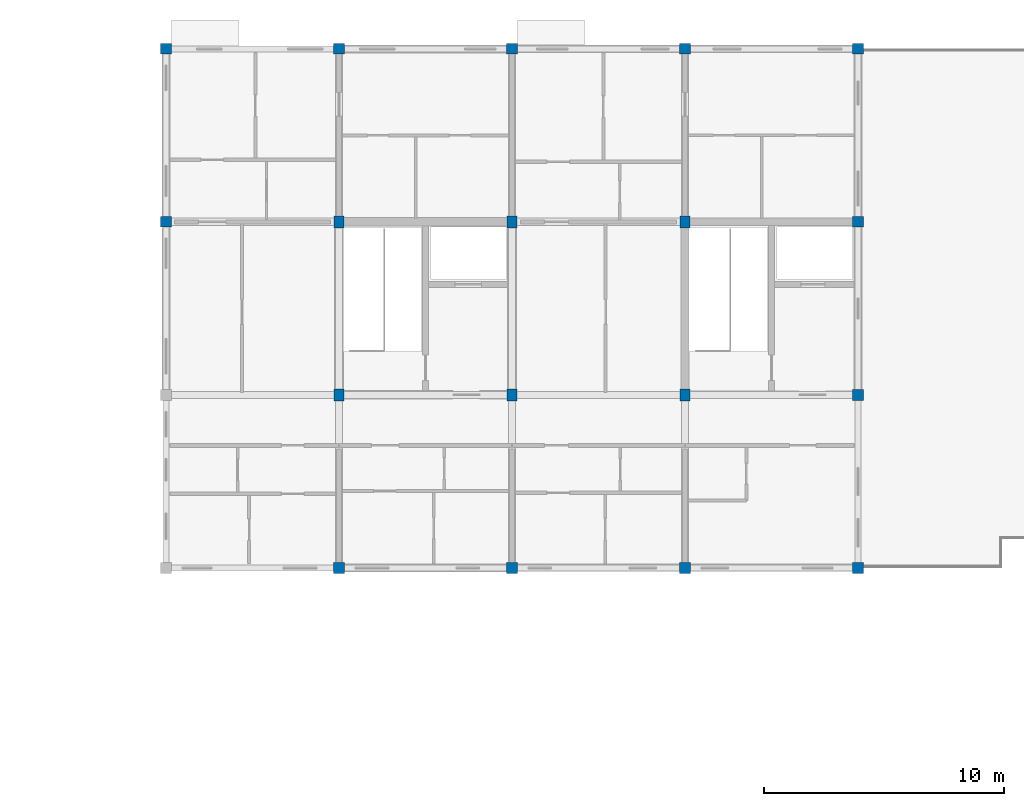
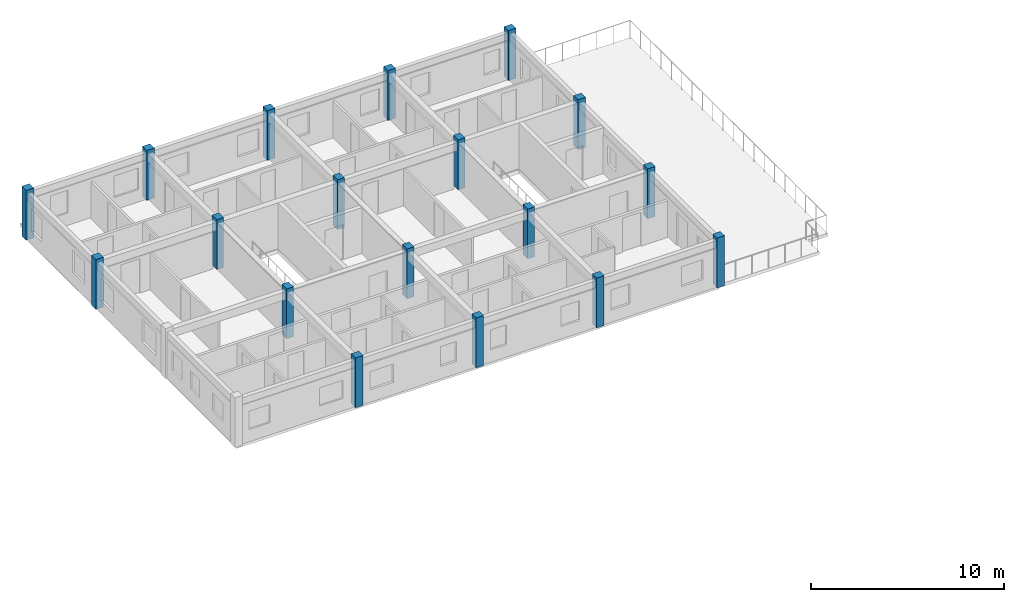
# One storey, part 2 of 23: 18 columns.
"""IFC4 building model written with IfcOpenShell, lengths in metres."""

from ifc_helpers import new_model, si_unit, direction, frame, origin, origin_2d, place, context, subcontext, project, spatial, rectangle, extrude, material, material_profile, profile_set, type_object, element, save


model = new_model("IFC4")

# Units and contexts
model_context = context("Model", 3, precision=1e-05, world=origin(), true_north=direction((0.0, 1.0)))
body_context = subcontext(model_context, "Body", "Model", "MODEL_VIEW")
ifc_project = project(units=[si_unit("LENGTHUNIT", "METRE"), si_unit("AREAUNIT", "SQUARE_METRE"), si_unit("VOLUMEUNIT", "CUBIC_METRE"), si_unit("PLANEANGLEUNIT", "RADIAN"), si_unit("MASSUNIT", "GRAM", prefix="KILO"), si_unit("THERMODYNAMICTEMPERATUREUNIT", "KELVIN"), si_unit("POWERUNIT", "WATT")], contexts=[model_context])

# Site, building, storey
site_placement = place(None, origin())
site = spatial("IfcSite", under=ifc_project, at=site_placement, CompositionType="ELEMENT")
building_placement = place(site_placement, origin())
building = spatial("IfcBuilding", under=site, at=building_placement, Name="Tavuni Mirador Residences", CompositionType="ELEMENT")
storey_placement = place(building_placement, frame((0.0, 0.0, 42.300048828125)))
storey = spatial("IfcBuildingStorey", under=building, at=storey_placement, Name="L13", CompositionType="ELEMENT", Elevation=42.300048828125)

# Columns
ifc_material = material(Name="Precast concrete C40/50", Category="concrete")
ifc_material_profile_1 = material_profile(ifc_material, rectangle(XDim=0.39990234375, YDim=0.5, at=origin_2d()), Name="PC 400x500", Category="concrete")
ifc_profile_set_1 = profile_set([ifc_material_profile_1], Name="Precast concrete C40/50")
column_type_1 = type_object("IfcColumnType", Name="CT-PC400X500", PredefinedType="COLUMN", material=ifc_profile_set_1)
for number, where, z_axis, x_axis, name in (
    (1, (25.199951171875, 158.39990234375, 0.0), (0.0, 0.0, 1.0), (1.0, 0.0, 0.0), "COL-BLK-C-L13-01-01"),
    (2, (25.199951171875, 165.60009765625, 0.0), (0.0, 0.0, 1.0), (1.0, 0.0, 0.0), "COL-BLK-C-L13-01-02"),
    (3, (32.39990234375, 158.39990234375, 0.0), (0.0, 0.0, 1.0), (1.0, 0.0, 0.0), "COL-BLK-C-L13-02-01"),
    (4, (32.39990234375, 165.60009765625, 0.0), (0.0, 0.0, 1.0), (1.0, 0.0, 0.0), "COL-BLK-C-L13-02-02"),
    (5, (39.60009765625, 158.39990234375, 0.0), (0.0, 0.0, 1.0), (1.0, 0.0, 0.0), "COL-BLK-C-L13-03-01"),
    (6, (39.60009765625, 165.60009765625, 0.0), (0.0, 0.0, 1.0), (1.0, 0.0, 0.0), "COL-BLK-C-L13-03-02"),
):
    element("IfcColumn", number, at=place(storey_placement, frame(where, z_axis=z_axis, x_axis=x_axis)), inside=storey, type_object=column_type_1, Name=name, PredefinedType="COLUMN", context=body_context, shape_type="SweptSolid", body=[
        extrude(rectangle(XDim=0.39990234375, YDim=0.5, at=origin_2d()), origin(), (0.0, 0.0, 1.0), 3.14990234375),
    ])
ifc_material_profile_2 = material_profile(ifc_material, rectangle(XDim=0.449951171875, YDim=0.449951171875, at=origin_2d()), Name="RC 450x450", Category="concrete")
ifc_profile_set_2 = profile_set([ifc_material_profile_2], Name="Precast concrete C40/50")
column_type_2 = type_object("IfcColumnType", Name="CT-RC450", PredefinedType="COLUMN", material=ifc_profile_set_2)
for number, where, z_axis, x_axis, name in (
    (7, (18.0, 165.60009765625, 0.0), (0.0, 0.0, 1.0), (1.0, 0.0, 0.0), "COL-BLK-C-L13-00-02"),
    (8, (18.0, 172.800048828125, 0.0), (0.0, 0.0, 1.0), (1.0, 0.0, 0.0), "COL-BLK-C-L13-00-03"),
    (9, (25.199951171875, 151.199951171875, 0.0), (0.0, 0.0, 1.0), (1.0, 0.0, 0.0), "COL-BLK-C-L13-01-00"),
    (10, (25.199951171875, 172.800048828125, 0.0), (0.0, 0.0, 1.0), (1.0, 0.0, 0.0), "COL-BLK-C-L13-01-03"),
    (11, (32.39990234375, 151.199951171875, 0.0), (0.0, 0.0, 1.0), (1.0, 0.0, 0.0), "COL-BLK-C-L13-02-00"),
    (12, (32.39990234375, 172.800048828125, 0.0), (0.0, 0.0, 1.0), (1.0, 0.0, 0.0), "COL-BLK-C-L13-02-03"),
    (13, (39.60009765625, 151.199951171875, 0.0), (0.0, 0.0, 1.0), (1.0, 0.0, 0.0), "COL-BLK-C-L13-03-00"),
    (14, (39.60009765625, 172.800048828125, 0.0), (0.0, 0.0, 1.0), (1.0, 0.0, 0.0), "COL-BLK-C-L13-03-03"),
    (15, (46.800048828125, 151.199951171875, 0.0), (0.0, 0.0, 1.0), (1.0, 0.0, 0.0), "COL-BLK-C-L13-04-00"),
    (16, (46.800048828125, 158.39990234375, 0.0), (0.0, 0.0, 1.0), (1.0, 0.0, 0.0), "COL-BLK-C-L13-04-01"),
    (17, (46.800048828125, 165.60009765625, 0.0), (0.0, 0.0, 1.0), (1.0, 0.0, 0.0), "COL-BLK-C-L13-04-02"),
    (18, (46.800048828125, 172.800048828125, 0.0), (0.0, 0.0, 1.0), (1.0, 0.0, 0.0), "COL-BLK-C-L13-04-03"),
):
    element("IfcColumn", number, at=place(storey_placement, frame(where, z_axis=z_axis, x_axis=x_axis)), inside=storey, type_object=column_type_2, Name=name, PredefinedType="COLUMN", context=body_context, shape_type="SweptSolid", body=[
        extrude(rectangle(XDim=0.449951171875, YDim=0.449951171875, at=origin_2d()), origin(), (0.0, 0.0, 1.0), 3.14990234375),
    ])

save(model, "model.ifc")
